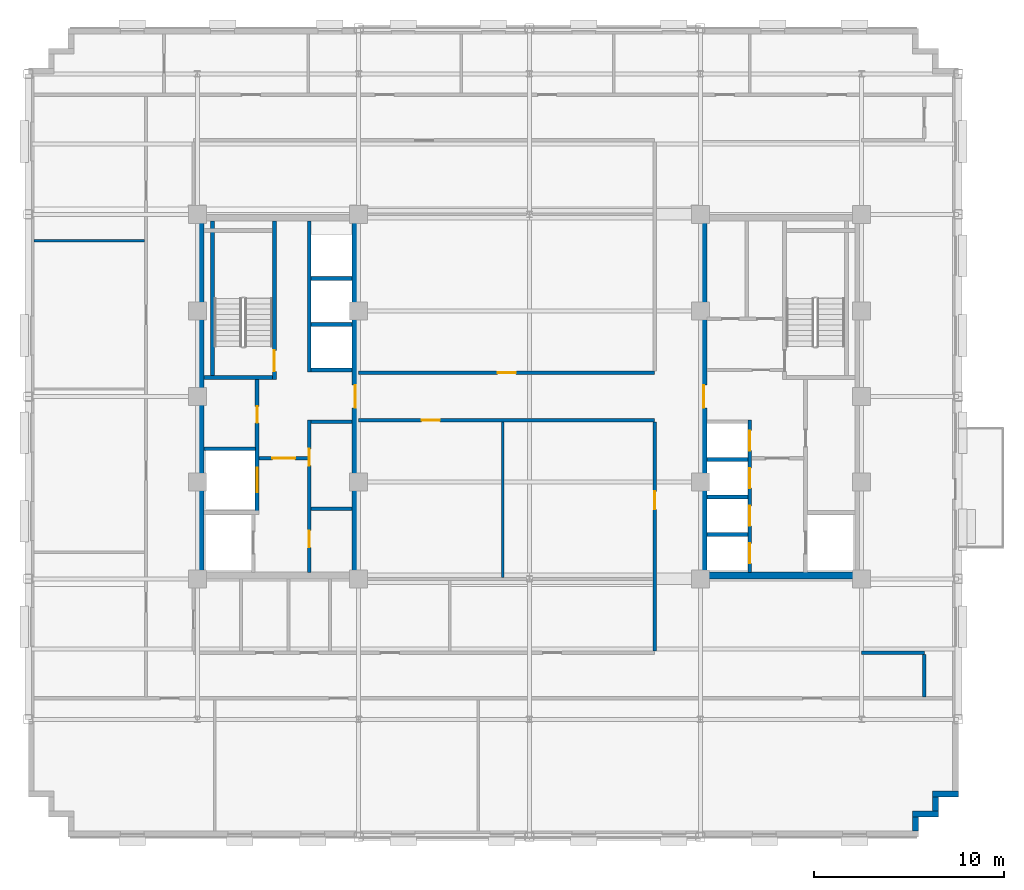
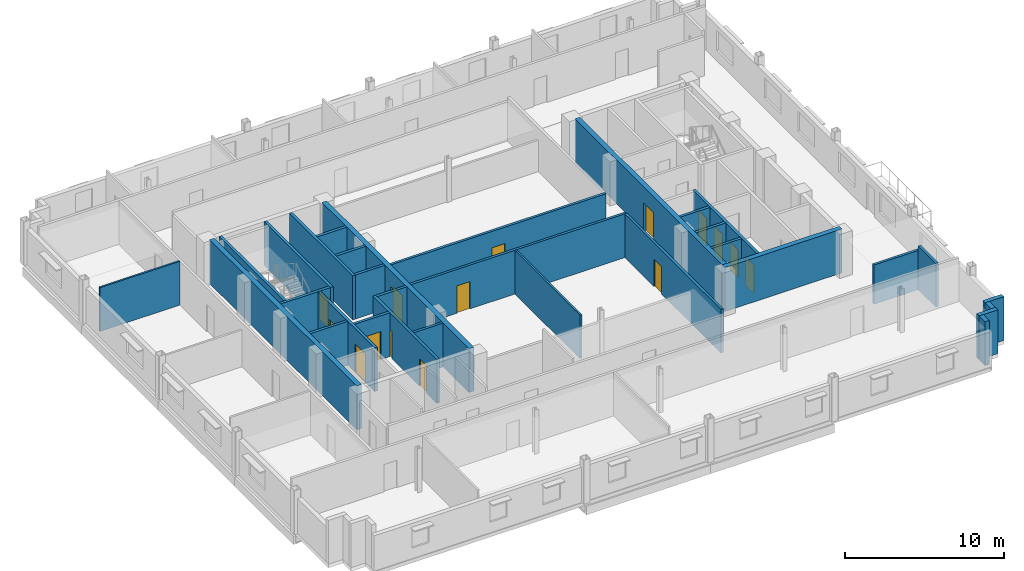
# One storey, part 8 of 15: 32 walls, 15 doors, 15 openings.
"""IFC4 building model written with IfcOpenShell, lengths in metres."""

from ifc_helpers import new_model, si_unit, direction, frame, frame_2d, origin, place, context, subcontext, project, spatial, rectangle, extrude, source, transform, mapped, material, layer, layer_set, type_object, type_shapes, element, fill, save


model = new_model("IFC4")

# Units and contexts
model_context = context("Model", 3, precision=1e-05, world=origin(), true_north=direction((0.0, 1.0)))
body_context = subcontext(model_context, "Body", "Model", "MODEL_VIEW")
ifc_project = project(units=[si_unit("LENGTHUNIT", "METRE"), si_unit("AREAUNIT", "SQUARE_METRE"), si_unit("VOLUMEUNIT", "CUBIC_METRE"), si_unit("PLANEANGLEUNIT", "RADIAN"), si_unit("MASSUNIT", "GRAM", prefix="KILO")], contexts=[model_context])

# Site, building, storey
site_placement = place(None, origin())
site = spatial("IfcSite", under=ifc_project, at=site_placement, CompositionType="ELEMENT")
building_placement = place(site_placement, origin())
building = spatial("IfcBuilding", under=site, at=building_placement, Name="Nuvemarco Arch Tower", CompositionType="ELEMENT")
storey_placement = place(building_placement, frame((0.0, 0.0, 201.85009765625)))
storey = spatial("IfcBuildingStorey", under=building, at=storey_placement, Name="L53", CompositionType="ELEMENT", Elevation=201.85009765625)

# Walls
ifc_material_1 = material(Name="Precast concrete C45/55", Category="concrete")
ifc_layer_1 = layer(ifc_material_1, 0.31005859375, Name="EW-UPP-310")
ifc_layer_set_1 = layer_set([ifc_layer_1], Name="Precast concrete C45/55")
wall_type_1 = type_object("IfcWallType", Name="EW-UPP-310", PredefinedType="STANDARD", material=ifc_layer_set_1)
wall_1_placement = place(storey_placement, frame((20.344970703125, -22.89404296875, 0.0), z_axis=(0.0, 0.0, 1.0), x_axis=(0.0, 1.0, 0.0)))
element("IfcWall", 1, at=wall_1_placement, inside=storey, type_object=wall_type_1, Name="L53 exterior precast facade wall 2", PredefinedType="STANDARD", context=body_context, shape_type="SweptSolid", body=[
    extrude(rectangle(XDim=0.748046875, YDim=0.31005859375, at=frame_2d((0.3740234375, 0.0))), origin(), (0.0, 0.0, 1.0), 3.35986328125),
])
wall_2_placement = place(storey_placement, frame((20.18994140625, -21.9951171875, 0.0), z_axis=(0.0, 0.0, 1.0), x_axis=(1.0, 0.0, 0.0)))
element("IfcWall", 2, at=wall_2_placement, inside=storey, type_object=wall_type_1, Name="L53 exterior precast facade wall 3", PredefinedType="STANDARD", context=body_context, shape_type="SweptSolid", body=[
    extrude(rectangle(XDim=1.360107421875, YDim=0.31005859375, at=frame_2d((0.68017578125, 0.0))), origin(), (0.0, 0.0, 1.0), 3.35986328125),
])
wall_3_placement = place(storey_placement, frame((21.39501953125, -21.843994140625, 0.0), z_axis=(0.0, 0.0, 1.0), x_axis=(0.0, 1.0, 0.0)))
element("IfcWall", 3, at=wall_3_placement, inside=storey, type_object=wall_type_1, Name="L53 exterior precast facade wall 4", PredefinedType="STANDARD", context=body_context, shape_type="SweptSolid", body=[
    extrude(rectangle(XDim=0.748046875, YDim=0.31005859375, at=frame_2d((0.3740234375, 0.0))), origin(), (0.0, 0.0, 1.0), 3.35986328125),
])
wall_4_placement = place(storey_placement, frame((21.239990234375, -20.945068359375, 0.0), z_axis=(0.0, 0.0, 1.0), x_axis=(1.0, 0.0, 0.0)))
element("IfcWall", 4, at=wall_4_placement, inside=storey, type_object=wall_type_1, Name="L53 exterior precast facade wall 5", PredefinedType="STANDARD", context=body_context, shape_type="SweptSolid", body=[
    extrude(rectangle(XDim=1.360107421875, YDim=0.31005859375, at=frame_2d((0.68017578125, 0.0))), origin(), (0.0, 0.0, 1.0), 3.35986328125),
])
ifc_material_2 = material(Name="Concrete C50/60", Category="concrete")
ifc_layer_2 = layer(ifc_material_2, 0.35009765625, Name="WL-CORE-350")
ifc_layer_set_2 = layer_set([ifc_layer_2], Name="Concrete C50/60")
wall_type_2 = type_object("IfcWallType", Name="WL-CORE-350", PredefinedType="SHEAR", material=ifc_layer_set_2)
wall_5_placement = place(storey_placement, frame((-17.324951171875, -9.2548828125, 0.0), z_axis=(0.0, 0.0, 1.0), x_axis=(0.0, 1.0, 0.0)))
element("IfcWall", 5, at=wall_5_placement, inside=storey, type_object=wall_type_2, Name="L53 W-core shear wall W", PredefinedType="SHEAR", context=body_context, shape_type="SweptSolid", body=[
    extrude(rectangle(XDim=18.509765625, YDim=0.35009765625, at=frame_2d((9.2548828125, 0.0))), origin(), (0.0, 0.0, 1.0), 3.369873046875),
])

# Wall, opening, door
wall_6_placement = place(storey_placement, frame((-9.175048828125, -9.2548828125, 0.0), z_axis=(0.0, 0.0, 1.0), x_axis=(0.0, 1.0, 0.0)))
wall_6 = element("IfcWall", 6, at=wall_6_placement, inside=storey, type_object=wall_type_2, Name="L53 W-core shear wall E", PredefinedType="SHEAR", context=body_context, shape_type="SweptSolid", body=[
    extrude(rectangle(XDim=18.509765625, YDim=0.35009765625, at=frame_2d((9.2548828125, 0.0))), origin(), (0.0, 0.0, 1.0), 3.369873046875),
])
opening_1_placement = place(wall_6_placement, frame((8.655029296875, 0.0, 0.0)))
opening_1 = element("IfcOpeningElement", 7, at=opening_1_placement, cuts=wall_6, Name="Opening FD-2", PredefinedType="OPENING", context=body_context, shape_type="SweptSolid", body=[
    extrude(rectangle(XDim=1.199951171875, YDim=2.14990234375, at=frame_2d((0.60009765625, 1.074951171875))), frame((0.0, 0.18505859375, 0.0), z_axis=(0.0, -1.0, 0.0), x_axis=(1.0, 0.0, 0.0)), (0.0, 0.0, 1.0), 0.3701171875),
])
ifc_material_3 = material(Name="Anodised steel fire door", Category="steel")
door_type_1 = type_object("IfcDoorType", Name="DR-FFLOB-FD", OperationType="NOTDEFINED", PredefinedType="DOOR", material=ifc_material_3)
shared_shape_1 = source(origin(), body_context, "Body", "SweptSolid", [
    extrude(rectangle(XDim=1.199951171875, YDim=2.14990234375, at=frame_2d((0.60009765625, 1.074951171875))), frame((0.0, 0.02490234375, 0.0), z_axis=(0.0, -1.0, 0.0), x_axis=(1.0, 0.0, 0.0)), (0.0, 0.0, 1.0), 0.050048828125),
])
type_shapes(door_type_1, [shared_shape_1])
door_1_placement = place(opening_1_placement, origin())
door_1 = element("IfcDoor", 8, at=door_1_placement, inside=storey, type_object=door_type_1, Name="L53 door FD-L53-WCORE-E", OperationType="SINGLE_SWING_LEFT", OverallHeight=2.14990234375, OverallWidth=1.199951171875, PredefinedType="DOOR", context=body_context, shape_type="MappedRepresentation", body=[
    mapped(shared_shape_1, transform((0.0, 0.0, 0.0), scale=1.0)),
])
fill(opening_1, door_1)

# Wall
wall_7_placement = place(storey_placement, frame((9.0, -9.425048828125, 0.0), z_axis=(0.0, 0.0, 1.0), x_axis=(1.0, 0.0, 0.0)))
element("IfcWall", 9, at=wall_7_placement, inside=storey, type_object=wall_type_2, Name="L53 E-core shear wall S", PredefinedType="SHEAR", context=body_context, shape_type="SweptSolid", body=[
    extrude(rectangle(XDim=8.5, YDim=0.35009765625, at=frame_2d((4.25, 0.0))), origin(), (0.0, 0.0, 1.0), 3.369873046875),
])

# Wall, opening, door
wall_8_placement = place(storey_placement, frame((9.175048828125, -9.2548828125, 0.0), z_axis=(0.0, 0.0, 1.0), x_axis=(0.0, 1.0, 0.0)))
wall_8 = element("IfcWall", 10, at=wall_8_placement, inside=storey, type_object=wall_type_2, Name="L53 E-core shear wall W", PredefinedType="SHEAR", context=body_context, shape_type="SweptSolid", body=[
    extrude(rectangle(XDim=18.509765625, YDim=0.35009765625, at=frame_2d((9.2548828125, 0.0))), origin(), (0.0, 0.0, 1.0), 3.369873046875),
])
opening_2_placement = place(wall_8_placement, frame((8.655029296875, 0.0, 0.0)))
opening_2 = element("IfcOpeningElement", 11, at=opening_2_placement, cuts=wall_8, Name="Opening FD-2", PredefinedType="OPENING", context=body_context, shape_type="SweptSolid", body=[
    extrude(rectangle(XDim=1.199951171875, YDim=2.14990234375, at=frame_2d((0.60009765625, 1.074951171875))), frame((0.0, 0.18505859375, 0.0), z_axis=(0.0, -1.0, 0.0), x_axis=(1.0, 0.0, 0.0)), (0.0, 0.0, 1.0), 0.3701171875),
])
door_2_placement = place(opening_2_placement, origin())
door_2 = element("IfcDoor", 12, at=door_2_placement, inside=storey, type_object=door_type_1, Name="L53 door FD-L53-ECORE-W", OperationType="SINGLE_SWING_RIGHT", OverallHeight=2.14990234375, OverallWidth=1.199951171875, PredefinedType="DOOR", context=body_context, shape_type="MappedRepresentation", body=[
    mapped(shared_shape_1, transform((0.0, 0.0, 0.0), scale=1.0)),
])
fill(opening_2, door_2)

# Walls
ifc_material_4 = material(Name="Fire-rated gypsum drywall partition")
ifc_layer_3 = layer(ifc_material_4, 0.179931640625, Name="WL-CORR-180")
ifc_layer_set_3 = layer_set([ifc_layer_3], Name="Fire-rated gypsum drywall partition")
wall_type_3 = type_object("IfcWallType", Name="WL-CORR-180", PredefinedType="PARTITIONING", material=ifc_layer_set_3)
wall_9_placement = place(storey_placement, frame((-11.5048828125, -5.89990234375, 0.0), z_axis=(0.0, 0.0, 1.0), x_axis=(1.0, 0.0, 0.0)))
element("IfcWall", 13, at=wall_9_placement, inside=storey, type_object=wall_type_3, Name="L53 interior wall IW-L53-W-RECK3", PredefinedType="PARTITIONING", context=body_context, shape_type="SweptSolid", body=[
    extrude(rectangle(XDim=2.159912109375, YDim=0.179931640625, at=frame_2d((1.080078125, 0.0))), origin(), (0.0, 0.0, 1.0), 3.35986328125),
])
wall_10_placement = place(storey_placement, frame((17.5, -13.5, 0.0), z_axis=(0.0, 0.0, 1.0), x_axis=(1.0, 0.0, 0.0)))
element("IfcWall", 14, at=wall_10_placement, inside=storey, type_object=wall_type_3, Name="L53 interior wall IW-L53-003", PredefinedType="PARTITIONING", context=body_context, shape_type="SweptSolid", body=[
    extrude(rectangle(XDim=3.300048828125, YDim=0.179931640625, at=frame_2d((1.64990234375, 0.0))), origin(), (0.0, 0.0, 1.0), 3.0078125),
])

# Wall, opening, door
wall_11_placement = place(storey_placement, frame((-9.0, -1.25, 0.0), z_axis=(0.0, 0.0, 1.0), x_axis=(1.0, 0.0, 0.0)))
wall_11 = element("IfcWall", 15, at=wall_11_placement, inside=storey, type_object=wall_type_3, Name="L53 interior wall IW-L53-007", PredefinedType="PARTITIONING", context=body_context, shape_type="SweptSolid", body=[
    extrude(rectangle(XDim=15.60009765625, YDim=0.179931640625, at=frame_2d((7.800048828125, 0.0))), origin(), (0.0, 0.0, 1.0), 3.35986328125),
])
opening_3_placement = place(wall_11_placement, frame((3.320068359375, 0.0, 0.0)))
opening_3 = element("IfcOpeningElement", 16, at=opening_3_placement, cuts=wall_11, Name="Opening FD-5", PredefinedType="OPENING", context=body_context, shape_type="SweptSolid", body=[
    extrude(rectangle(XDim=0.9599609375, YDim=2.10009765625, at=frame_2d((0.47998046875, 1.050048828125))), frame((0.0, 0.099853515625, 0.0), z_axis=(0.0, -1.0, 0.0), x_axis=(1.0, 0.0, 0.0)), (0.0, 0.0, 1.0), 0.199951171875),
])
ifc_material_5 = material(Name="Timber fire door", Category="wood")
door_type_2 = type_object("IfcDoorType", Name="DR-CORR-FD", OperationType="NOTDEFINED", PredefinedType="DOOR", material=ifc_material_5)
shared_shape_2 = source(origin(), body_context, "Body", "SweptSolid", [
    extrude(rectangle(XDim=0.9599609375, YDim=2.10009765625, at=frame_2d((0.47998046875, 1.050048828125))), frame((0.0, 0.02490234375, 0.0), z_axis=(0.0, -1.0, 0.0), x_axis=(1.0, 0.0, 0.0)), (0.0, 0.0, 1.0), 0.050048828125),
])
type_shapes(door_type_2, [shared_shape_2])
door_3_placement = place(opening_3_placement, origin())
door_3 = element("IfcDoor", 17, at=door_3_placement, inside=storey, type_object=door_type_2, Name="L53 door DR-L53-C_S1", OperationType="SINGLE_SWING_LEFT", OverallHeight=2.10009765625, OverallWidth=0.9599609375, PredefinedType="DOOR", context=body_context, shape_type="MappedRepresentation", body=[
    mapped(shared_shape_2, transform((0.0, 0.0, 0.0), scale=1.0)),
])
fill(opening_3, door_3)

wall_12_placement = place(storey_placement, frame((-9.0, 1.25, 0.0), z_axis=(0.0, 0.0, 1.0), x_axis=(1.0, 0.0, 0.0)))
wall_12 = element("IfcWall", 18, at=wall_12_placement, inside=storey, type_object=wall_type_3, Name="L53 interior wall IW-L53-009", PredefinedType="PARTITIONING", context=body_context, shape_type="SweptSolid", body=[
    extrude(rectangle(XDim=15.60009765625, YDim=0.179931640625, at=frame_2d((7.800048828125, 0.0))), origin(), (0.0, 0.0, 1.0), 3.35986328125),
])
opening_4_placement = place(wall_12_placement, frame((7.320068359375, 0.0, 0.0)))
opening_4 = element("IfcOpeningElement", 19, at=opening_4_placement, cuts=wall_12, Name="Opening FD-5", PredefinedType="OPENING", context=body_context, shape_type="SweptSolid", body=[
    extrude(rectangle(XDim=0.9599609375, YDim=2.10009765625, at=frame_2d((0.47998046875, 1.050048828125))), frame((0.0, 0.099853515625, 0.0), z_axis=(0.0, -1.0, 0.0), x_axis=(1.0, 0.0, 0.0)), (0.0, 0.0, 1.0), 0.199951171875),
])
door_4_placement = place(opening_4_placement, origin())
door_4 = element("IfcDoor", 20, at=door_4_placement, inside=storey, type_object=door_type_2, Name="L53 door DR-L53-C_N1", OperationType="SINGLE_SWING_LEFT", OverallHeight=2.10009765625, OverallWidth=0.9599609375, PredefinedType="DOOR", context=body_context, shape_type="MappedRepresentation", body=[
    mapped(shared_shape_2, transform((0.0, 0.0, 0.0), scale=1.0)),
])
fill(opening_4, door_4)

wall_13_placement = place(storey_placement, frame((6.60009765625, -13.4140625, 0.0), z_axis=(0.0, 0.0, 1.0), x_axis=(0.0, 1.0, 0.0)))
wall_13 = element("IfcWall", 21, at=wall_13_placement, inside=storey, type_object=wall_type_3, Name="L53 interior wall IW-L53-030", PredefinedType="PARTITIONING", context=body_context, shape_type="SweptSolid", body=[
    extrude(rectangle(XDim=12.078125, YDim=0.179931640625, at=frame_2d((6.0390625, 0.0))), origin(), (0.0, 0.0, 1.0), 3.35986328125),
])
opening_5_placement = place(wall_13_placement, frame((7.466064453125, 0.0, 0.0)))
opening_5 = element("IfcOpeningElement", 22, at=opening_5_placement, cuts=wall_13, Name="Opening FD-5", PredefinedType="OPENING", context=body_context, shape_type="SweptSolid", body=[
    extrude(rectangle(XDim=0.9599609375, YDim=2.10009765625, at=frame_2d((0.47998046875, 1.050048828125))), frame((0.0, 0.099853515625, 0.0), z_axis=(0.0, -1.0, 0.0), x_axis=(1.0, 0.0, 0.0)), (0.0, 0.0, 1.0), 0.199951171875),
])
door_5_placement = place(opening_5_placement, origin())
door_5 = element("IfcDoor", 23, at=door_5_placement, inside=storey, type_object=door_type_2, Name="L53 door DR-L53-C_S2", OperationType="SINGLE_SWING_LEFT", OverallHeight=2.10009765625, OverallWidth=0.9599609375, PredefinedType="DOOR", context=body_context, shape_type="MappedRepresentation", body=[
    mapped(shared_shape_2, transform((0.0, 0.0, 0.0), scale=1.0)),
])
fill(opening_5, door_5)

# Walls
wall_14_placement = place(storey_placement, frame((20.800048828125, -15.81396484375, 0.0), z_axis=(0.0, 0.0, 1.0), x_axis=(0.0, 1.0, 0.0)))
element("IfcWall", 24, at=wall_14_placement, inside=storey, type_object=wall_type_3, Name="L53 interior wall IW-L53-033", PredefinedType="PARTITIONING", context=body_context, shape_type="SweptSolid", body=[
    extrude(rectangle(XDim=2.22802734375, YDim=0.179931640625, at=frame_2d((1.114013671875, 0.0))), origin(), (0.0, 0.0, 1.0), 3.35986328125),
])
ifc_material_6 = material(Name="Glazed acoustic office partition")
ifc_layer_4 = layer(ifc_material_6, 0.1298828125, Name="WL-EXEC-130")
ifc_layer_set_4 = layer_set([ifc_layer_4], Name="Glazed acoustic office partition")
wall_type_4 = type_object("IfcWallType", Name="WL-EXEC-130", PredefinedType="PARTITIONING", material=ifc_layer_set_4)
wall_15_placement = place(storey_placement, frame((-26.090087890625, 8.199951171875, 0.0), z_axis=(0.0, 0.0, 1.0), x_axis=(1.0, 0.0, 0.0)))
element("IfcWall", 25, at=wall_15_placement, inside=storey, type_object=wall_type_4, Name="L53 interior wall IW-L53-010", PredefinedType="PARTITIONING", context=body_context, shape_type="SweptSolid", body=[
    extrude(rectangle(XDim=5.80419921875, YDim=0.1298828125, at=frame_2d((2.902099609375, 0.0))), origin(), (0.0, 0.0, 1.0), 3.35986328125),
])
wall_16_placement = place(storey_placement, frame((-1.39990234375, -9.52392578125, 0.0), z_axis=(0.0, 0.0, 1.0), x_axis=(0.0, 1.0, 0.0)))
element("IfcWall", 26, at=wall_16_placement, inside=storey, type_object=wall_type_4, Name="L53 interior wall IW-L53-028", PredefinedType="PARTITIONING", context=body_context, shape_type="SweptSolid", body=[
    extrude(rectangle(XDim=8.18798828125, YDim=0.1298828125, at=frame_2d((4.093994140625, 0.0))), origin(), (0.0, 0.0, 1.0), 3.35986328125),
])

# Wall, opening, door
ifc_layer_5 = layer(ifc_material_2, 0.199951171875, Name="WL-SHAFT-220")
ifc_layer_set_5 = layer_set([ifc_layer_5], Name="Concrete C50/60")
wall_type_5 = type_object("IfcWallType", Name="WL-SHAFT-220", PredefinedType="SHEAR", material=ifc_layer_set_5)
wall_17_placement = place(storey_placement, frame((-13.43994140625, 0.89990234375, 0.0), z_axis=(0.0, 0.0, 1.0), x_axis=(0.0, 1.0, 0.0)))
wall_17 = element("IfcWall", 27, at=wall_17_placement, inside=storey, type_object=wall_type_5, Name="L53 structural shaft wall SW-L53-W-ST1E", PredefinedType="SHEAR", context=body_context, shape_type="SweptSolid", body=[
    extrude(rectangle(XDim=8.35498046875, YDim=0.199951171875, at=frame_2d((4.177490234375, 0.0))), origin(), (0.0, 0.0, 1.0), 3.369873046875),
])
opening_6_placement = place(wall_17_placement, frame((1.530029296875, 0.0, 0.0), z_axis=(0.0, 0.0, 1.0), x_axis=(-1.0, 0.0, 0.0)))
opening_6 = element("IfcOpeningElement", 28, at=opening_6_placement, cuts=wall_17, Name="Opening FD-1", PredefinedType="OPENING", context=body_context, shape_type="SweptSolid", body=[
    extrude(rectangle(XDim=1.10009765625, YDim=2.14990234375, at=frame_2d((0.550048828125, 1.074951171875))), frame((0.0, 0.10986328125, 0.0), z_axis=(0.0, -1.0, 0.0), x_axis=(1.0, 0.0, 0.0)), (0.0, 0.0, 1.0), 0.219970703125),
])
door_type_3 = type_object("IfcDoorType", Name="DR-STAIR-FD", OperationType="NOTDEFINED", PredefinedType="DOOR", material=ifc_material_3)
shared_shape_3 = source(origin(), body_context, "Body", "SweptSolid", [
    extrude(rectangle(XDim=1.10009765625, YDim=2.14990234375, at=frame_2d((0.550048828125, 1.074951171875))), frame((0.0, 0.02490234375, 0.0), z_axis=(0.0, -1.0, 0.0), x_axis=(1.0, 0.0, 0.0)), (0.0, 0.0, 1.0), 0.050048828125),
])
type_shapes(door_type_3, [shared_shape_3])
door_6_placement = place(opening_6_placement, origin())
door_6 = element("IfcDoor", 29, at=door_6_placement, inside=storey, type_object=door_type_3, Name="L53 door FD-L53-ST1", OperationType="SINGLE_SWING_LEFT", OverallHeight=2.14990234375, OverallWidth=1.10009765625, PredefinedType="DOOR", context=body_context, shape_type="MappedRepresentation", body=[
    mapped(shared_shape_3, transform((0.0, 0.0, 0.0), scale=1.0)),
])
fill(opening_6, door_6)

# Walls
wall_18_placement = place(storey_placement, frame((-17.155029296875, 1.0, 0.0), z_axis=(0.0, 0.0, 1.0), x_axis=(1.0, 0.0, 0.0)))
element("IfcWall", 30, at=wall_18_placement, inside=storey, type_object=wall_type_5, Name="L53 structural shaft wall SW-L53-W-ST1S", PredefinedType="SHEAR", context=body_context, shape_type="SweptSolid", body=[
    extrude(rectangle(XDim=3.6201171875, YDim=0.199951171875, at=frame_2d((1.81005859375, 0.0))), origin(), (0.0, 0.0, 1.0), 3.369873046875),
])
wall_19_placement = place(storey_placement, frame((-16.699951171875, 1.094970703125, 0.0), z_axis=(0.0, 0.0, 1.0), x_axis=(0.0, 1.0, 0.0)))
element("IfcWall", 31, at=wall_19_placement, inside=storey, type_object=wall_type_5, Name="L53 structural shaft wall SW-L53-W-ST1W", PredefinedType="SHEAR", context=body_context, shape_type="SweptSolid", body=[
    extrude(rectangle(XDim=8.159912109375, YDim=0.199951171875, at=frame_2d((4.080078125, 0.0))), origin(), (0.0, 0.0, 1.0), 3.369873046875),
])

# Wall, openings, doors
wall_20_placement = place(storey_placement, frame((-14.35009765625, -6.199951171875, 0.0), z_axis=(0.0, 0.0, 1.0), x_axis=(0.0, 1.0, 0.0)))
wall_20 = element("IfcWall", 32, at=wall_20_placement, inside=storey, type_object=wall_type_5, Name="L53 structural shaft wall SW-L53-W-SVE", PredefinedType="SHEAR", context=body_context, shape_type="SweptSolid", body=[
    extrude(rectangle(XDim=7.10498046875, YDim=0.199951171875, at=frame_2d((3.552490234375, 0.0))), origin(), (0.0, 0.0, 1.0), 3.369873046875),
])
opening_7_placement = place(wall_20_placement, frame((5.68994140625, 0.0, 0.0), z_axis=(0.0, 0.0, 1.0), x_axis=(-1.0, 0.0, 0.0)))
opening_7 = element("IfcOpeningElement", 33, at=opening_7_placement, cuts=wall_20, Name="Opening FD-4", PredefinedType="OPENING", context=body_context, shape_type="SweptSolid", body=[
    extrude(rectangle(XDim=0.8798828125, YDim=2.10009765625, at=frame_2d((0.43994140625, 1.050048828125))), frame((0.0, 0.10986328125, 0.0), z_axis=(0.0, -1.0, 0.0), x_axis=(1.0, 0.0, 0.0)), (0.0, 0.0, 1.0), 0.219970703125),
])
opening_8_placement = place(wall_20_placement, frame((1.14990234375, 0.0, 0.0)))
opening_8 = element("IfcOpeningElement", 34, at=opening_8_placement, cuts=wall_20, Name="Opening LD-3", PredefinedType="OPENING", context=body_context, shape_type="SweptSolid", body=[
    extrude(rectangle(XDim=1.300048828125, YDim=2.199951171875, at=frame_2d((0.64990234375, 1.10009765625))), frame((0.0, 0.10986328125, 0.0), z_axis=(0.0, -1.0, 0.0), x_axis=(1.0, 0.0, 0.0)), (0.0, 0.0, 1.0), 0.219970703125),
])
door_type_4 = type_object("IfcDoorType", Name="DR-RISER-FD", OperationType="NOTDEFINED", PredefinedType="DOOR", material=ifc_material_3)
shared_shape_4 = source(origin(), body_context, "Body", "SweptSolid", [
    extrude(rectangle(XDim=0.8798828125, YDim=2.10009765625, at=frame_2d((0.43994140625, 1.050048828125))), frame((0.0, 0.02490234375, 0.0), z_axis=(0.0, -1.0, 0.0), x_axis=(1.0, 0.0, 0.0)), (0.0, 0.0, 1.0), 0.050048828125),
])
type_shapes(door_type_4, [shared_shape_4])
door_7_placement = place(opening_7_placement, origin())
door_7 = element("IfcDoor", 35, at=door_7_placement, inside=storey, type_object=door_type_4, Name="L53 door FD-L53-WRIS", OperationType="SINGLE_SWING_LEFT", OverallHeight=2.10009765625, OverallWidth=0.8798828125, PredefinedType="DOOR", context=body_context, shape_type="MappedRepresentation", body=[
    mapped(shared_shape_4, transform((0.0, 0.0, 0.0), scale=1.0)),
])
fill(opening_7, door_7)
ifc_material_7 = material(Name="Stainless steel lift door", Category="steel")
door_type_5 = type_object("IfcDoorType", Name="DR-LIFT-SERV", OperationType="DOUBLE_DOOR_SLIDING", PredefinedType="DOOR", material=ifc_material_7)
shared_shape_5 = source(origin(), body_context, "Body", "SweptSolid", [
    extrude(rectangle(XDim=1.300048828125, YDim=2.199951171875, at=frame_2d((0.64990234375, 1.10009765625))), frame((0.0, 0.02490234375, 0.0), z_axis=(0.0, -1.0, 0.0), x_axis=(1.0, 0.0, 0.0)), (0.0, 0.0, 1.0), 0.050048828125),
])
type_shapes(door_type_5, [shared_shape_5])
door_8_placement = place(opening_8_placement, origin())
door_8 = element("IfcDoor", 36, at=door_8_placement, inside=storey, type_object=door_type_5, Name="L53 Lift landing sliding door SVL-1", OperationType="DOUBLE_DOOR_SLIDING", OverallHeight=2.199951171875, OverallWidth=1.300048828125, PredefinedType="DOOR", context=body_context, shape_type="MappedRepresentation", body=[
    mapped(shared_shape_5, transform((0.0, 0.0, 0.0), scale=1.0)),
])
fill(opening_8, door_8)

# Wall
wall_21_placement = place(storey_placement, frame((-17.155029296875, -2.75, 0.0), z_axis=(0.0, 0.0, 1.0), x_axis=(1.0, 0.0, 0.0)))
element("IfcWall", 37, at=wall_21_placement, inside=storey, type_object=wall_type_5, Name="L53 structural shaft wall SW-L53-W-SH2", PredefinedType="SHEAR", context=body_context, shape_type="SweptSolid", body=[
    extrude(rectangle(XDim=2.7099609375, YDim=0.199951171875, at=frame_2d((1.35498046875, 0.0))), origin(), (0.0, 0.0, 1.0), 3.369873046875),
])

# Wall, openings, doors
wall_22_placement = place(storey_placement, frame((-11.60009765625, -9.2548828125, 0.0), z_axis=(0.0, 0.0, 1.0), x_axis=(0.0, 1.0, 0.0)))
wall_22 = element("IfcWall", 38, at=wall_22_placement, inside=storey, type_object=wall_type_5, Name="L53 structural shaft wall SW-L53-W-PLW", PredefinedType="SHEAR", context=body_context, shape_type="SweptSolid", body=[
    extrude(rectangle(XDim=8.02490234375, YDim=0.199951171875, at=frame_2d((4.012451171875, 0.0))), origin(), (0.0, 0.0, 1.0), 3.369873046875),
])
opening_9_placement = place(wall_22_placement, frame((1.31494140625, 0.0, 0.0)))
opening_9 = element("IfcOpeningElement", 39, at=opening_9_placement, cuts=wall_22, Name="Opening FD-4", PredefinedType="OPENING", context=body_context, shape_type="SweptSolid", body=[
    extrude(rectangle(XDim=0.8798828125, YDim=2.10009765625, at=frame_2d((0.43994140625, 1.050048828125))), frame((0.0, 0.10986328125, 0.0), z_axis=(0.0, -1.0, 0.0), x_axis=(1.0, 0.0, 0.0)), (0.0, 0.0, 1.0), 0.219970703125),
])
opening_10_placement = place(wall_22_placement, frame((5.614990234375, 0.0, 0.0)))
opening_10 = element("IfcOpeningElement", 40, at=opening_10_placement, cuts=wall_22, Name="Opening FD-4", PredefinedType="OPENING", context=body_context, shape_type="SweptSolid", body=[
    extrude(rectangle(XDim=0.8798828125, YDim=2.10009765625, at=frame_2d((0.43994140625, 1.050048828125))), frame((0.0, 0.10986328125, 0.0), z_axis=(0.0, -1.0, 0.0), x_axis=(1.0, 0.0, 0.0)), (0.0, 0.0, 1.0), 0.219970703125),
])
door_9_placement = place(opening_9_placement, origin())
door_9 = element("IfcDoor", 41, at=door_9_placement, inside=storey, type_object=door_type_4, Name="L53 door FD-L53-WREC1", OperationType="SINGLE_SWING_LEFT", OverallHeight=2.10009765625, OverallWidth=0.8798828125, PredefinedType="DOOR", context=body_context, shape_type="MappedRepresentation", body=[
    mapped(shared_shape_4, transform((0.0, 0.0, 0.0), scale=1.0)),
])
fill(opening_9, door_9)
door_10_placement = place(opening_10_placement, origin())
door_10 = element("IfcDoor", 42, at=door_10_placement, inside=storey, type_object=door_type_4, Name="L53 door FD-L53-WREC2", OperationType="SINGLE_SWING_RIGHT", OverallHeight=2.10009765625, OverallWidth=0.8798828125, PredefinedType="DOOR", context=body_context, shape_type="MappedRepresentation", body=[
    mapped(shared_shape_4, transform((0.0, 0.0, 0.0), scale=1.0)),
])
fill(opening_10, door_10)

# Wall, opening, door
wall_23_placement = place(storey_placement, frame((-14.2548828125, -3.25, 0.0), z_axis=(0.0, 0.0, 1.0), x_axis=(1.0, 0.0, 0.0)))
wall_23 = element("IfcWall", 43, at=wall_23_placement, inside=storey, type_object=wall_type_5, Name="L53 structural shaft wall SW-L53-W-FFN", PredefinedType="SHEAR", context=body_context, shape_type="SweptSolid", body=[
    extrude(rectangle(XDim=2.559814453125, YDim=0.199951171875, at=frame_2d((1.27978515625, 0.0))), origin(), (0.0, 0.0, 1.0), 3.369873046875),
])
opening_11_placement = place(wall_23_placement, frame((0.705078125, 0.0, 0.0)))
opening_11 = element("IfcOpeningElement", 44, at=opening_11_placement, cuts=wall_23, Name="Opening FD-2", PredefinedType="OPENING", context=body_context, shape_type="SweptSolid", body=[
    extrude(rectangle(XDim=1.199951171875, YDim=2.14990234375, at=frame_2d((0.60009765625, 1.074951171875))), frame((0.0, 0.10986328125, 0.0), z_axis=(0.0, -1.0, 0.0), x_axis=(1.0, 0.0, 0.0)), (0.0, 0.0, 1.0), 0.219970703125),
])
door_11_placement = place(opening_11_placement, origin())
door_11 = element("IfcDoor", 45, at=door_11_placement, inside=storey, type_object=door_type_1, Name="L53 door FD-L53-WFF1", OperationType="SINGLE_SWING_LEFT", OverallHeight=2.14990234375, OverallWidth=1.199951171875, PredefinedType="DOOR", context=body_context, shape_type="MappedRepresentation", body=[
    mapped(shared_shape_1, transform((0.0, 0.0, 0.0), scale=1.0)),
])
fill(opening_11, door_11)

# Walls
wall_24_placement = place(storey_placement, frame((-11.5048828125, -1.330078125, 0.0), z_axis=(0.0, 0.0, 1.0), x_axis=(1.0, 0.0, 0.0)))
element("IfcWall", 46, at=wall_24_placement, inside=storey, type_object=wall_type_5, Name="L53 structural shaft wall SW-L53-W-PLTOP", PredefinedType="SHEAR", context=body_context, shape_type="SweptSolid", body=[
    extrude(rectangle(XDim=2.159912109375, YDim=0.199951171875, at=frame_2d((1.080078125, 0.0))), origin(), (0.0, 0.0, 1.0), 3.369873046875),
])
wall_25_placement = place(storey_placement, frame((-11.60009765625, 1.300048828125, 0.0), z_axis=(0.0, 0.0, 1.0), x_axis=(0.0, 1.0, 0.0)))
element("IfcWall", 47, at=wall_25_placement, inside=storey, type_object=wall_type_5, Name="L53 structural shaft wall SW-L53-W-PHW", PredefinedType="SHEAR", context=body_context, shape_type="SweptSolid", body=[
    extrude(rectangle(XDim=7.954833984375, YDim=0.199951171875, at=frame_2d((3.9775390625, 0.0))), origin(), (0.0, 0.0, 1.0), 3.369873046875),
])
for number, where, z_axis, x_axis, name in (
    (48, (-11.5048828125, 1.39990234375, 0.0), (0.0, 0.0, 1.0), (1.0, 0.0, 0.0), "L53 structural shaft wall SW-L53-W-PHD1"),
    (49, (-11.5048828125, 3.800048828125, 0.0), (0.0, 0.0, 1.0), (1.0, 0.0, 0.0), "L53 structural shaft wall SW-L53-W-PHD2"),
    (50, (-11.5048828125, 6.219970703125, 0.0), (0.0, 0.0, 1.0), (1.0, 0.0, 0.0), "L53 structural shaft wall SW-L53-W-PHD3"),
):
    element("IfcWall", number, at=place(storey_placement, frame(where, z_axis=z_axis, x_axis=x_axis)), inside=storey, type_object=wall_type_5, Name=name, PredefinedType="SHEAR", context=body_context, shape_type="SweptSolid", body=[
        extrude(rectangle(XDim=2.159912109375, YDim=0.199951171875, at=frame_2d((1.080078125, 0.0))), origin(), (0.0, 0.0, 1.0), 3.369873046875),
    ])

# Wall, openings, doors
wall_26_placement = place(storey_placement, frame((11.60009765625, -9.2548828125, 0.0), z_axis=(0.0, 0.0, 1.0), x_axis=(0.0, 1.0, 0.0)))
wall_26 = element("IfcWall", 51, at=wall_26_placement, inside=storey, type_object=wall_type_5, Name="L53 structural shaft wall SW-L53-E-PME", PredefinedType="SHEAR", context=body_context, shape_type="SweptSolid", body=[
    extrude(rectangle(XDim=8.02490234375, YDim=0.199951171875, at=frame_2d((4.012451171875, 0.0))), origin(), (0.0, 0.0, 1.0), 3.369873046875),
])
opening_12_placement = place(wall_26_placement, frame((0.469970703125, 0.0, 0.0)))
opening_12 = element("IfcOpeningElement", 52, at=opening_12_placement, cuts=wall_26, Name="Opening LD-1", PredefinedType="OPENING", context=body_context, shape_type="SweptSolid", body=[
    extrude(rectangle(XDim=1.050048828125, YDim=2.14990234375, at=frame_2d((0.52490234375, 1.074951171875))), frame((0.0, 0.10986328125, 0.0), z_axis=(0.0, -1.0, 0.0), x_axis=(1.0, 0.0, 0.0)), (0.0, 0.0, 1.0), 0.219970703125),
])
opening_13_placement = place(wall_26_placement, frame((2.449951171875, 0.0, 0.0)))
opening_13 = element("IfcOpeningElement", 53, at=opening_13_placement, cuts=wall_26, Name="Opening LD-1", PredefinedType="OPENING", context=body_context, shape_type="SweptSolid", body=[
    extrude(rectangle(XDim=1.050048828125, YDim=2.14990234375, at=frame_2d((0.52490234375, 1.074951171875))), frame((0.0, 0.10986328125, 0.0), z_axis=(0.0, -1.0, 0.0), x_axis=(1.0, 0.0, 0.0)), (0.0, 0.0, 1.0), 0.219970703125),
])
opening_14_placement = place(wall_26_placement, frame((4.429931640625, 0.0, 0.0)))
opening_14 = element("IfcOpeningElement", 54, at=opening_14_placement, cuts=wall_26, Name="Opening LD-1", PredefinedType="OPENING", context=body_context, shape_type="SweptSolid", body=[
    extrude(rectangle(XDim=1.050048828125, YDim=2.14990234375, at=frame_2d((0.52490234375, 1.074951171875))), frame((0.0, 0.10986328125, 0.0), z_axis=(0.0, -1.0, 0.0), x_axis=(1.0, 0.0, 0.0)), (0.0, 0.0, 1.0), 0.219970703125),
])
opening_15_placement = place(wall_26_placement, frame((6.409912109375, 0.0, 0.0)))
opening_15 = element("IfcOpeningElement", 55, at=opening_15_placement, cuts=wall_26, Name="Opening LD-1", PredefinedType="OPENING", context=body_context, shape_type="SweptSolid", body=[
    extrude(rectangle(XDim=1.050048828125, YDim=2.14990234375, at=frame_2d((0.52490234375, 1.074951171875))), frame((0.0, 0.10986328125, 0.0), z_axis=(0.0, -1.0, 0.0), x_axis=(1.0, 0.0, 0.0)), (0.0, 0.0, 1.0), 0.219970703125),
])
door_type_6 = type_object("IfcDoorType", Name="DR-LIFT-PASS", OperationType="DOUBLE_DOOR_SLIDING", PredefinedType="DOOR", material=ifc_material_7)
shared_shape_6 = source(origin(), body_context, "Body", "SweptSolid", [
    extrude(rectangle(XDim=1.050048828125, YDim=2.14990234375, at=frame_2d((0.52490234375, 1.074951171875))), frame((0.0, 0.02490234375, 0.0), z_axis=(0.0, -1.0, 0.0), x_axis=(1.0, 0.0, 0.0)), (0.0, 0.0, 1.0), 0.050048828125),
])
type_shapes(door_type_6, [shared_shape_6])
door_12_placement = place(opening_12_placement, origin())
door_12 = element("IfcDoor", 56, at=door_12_placement, inside=storey, type_object=door_type_6, Name="L53 Lift landing sliding door PM-1", OperationType="DOUBLE_DOOR_SLIDING", OverallHeight=2.14990234375, OverallWidth=1.050048828125, PredefinedType="DOOR", context=body_context, shape_type="MappedRepresentation", body=[
    mapped(shared_shape_6, transform((0.0, 0.0, 0.0), scale=1.0)),
])
fill(opening_12, door_12)
door_13_placement = place(opening_13_placement, origin())
door_13 = element("IfcDoor", 57, at=door_13_placement, inside=storey, type_object=door_type_6, Name="L53 Lift landing sliding door PM-2", OperationType="DOUBLE_DOOR_SLIDING", OverallHeight=2.14990234375, OverallWidth=1.050048828125, PredefinedType="DOOR", context=body_context, shape_type="MappedRepresentation", body=[
    mapped(shared_shape_6, transform((0.0, 0.0, 0.0), scale=1.0)),
])
fill(opening_13, door_13)
door_14_placement = place(opening_14_placement, origin())
door_14 = element("IfcDoor", 58, at=door_14_placement, inside=storey, type_object=door_type_6, Name="L53 Lift landing sliding door PM-3", OperationType="DOUBLE_DOOR_SLIDING", OverallHeight=2.14990234375, OverallWidth=1.050048828125, PredefinedType="DOOR", context=body_context, shape_type="MappedRepresentation", body=[
    mapped(shared_shape_6, transform((0.0, 0.0, 0.0), scale=1.0)),
])
fill(opening_14, door_14)
door_15_placement = place(opening_15_placement, origin())
door_15 = element("IfcDoor", 59, at=door_15_placement, inside=storey, type_object=door_type_6, Name="L53 Lift landing sliding door PM-4", OperationType="DOUBLE_DOOR_SLIDING", OverallHeight=2.14990234375, OverallWidth=1.050048828125, PredefinedType="DOOR", context=body_context, shape_type="MappedRepresentation", body=[
    mapped(shared_shape_6, transform((0.0, 0.0, 0.0), scale=1.0)),
])
fill(opening_15, door_15)

# Walls
for number, where, z_axis, x_axis, name in (
    (60, (9.344970703125, -7.27001953125, 0.0), (0.0, 0.0, 1.0), (1.0, 0.0, 0.0), "L53 structural shaft wall SW-L53-E-PMD1"),
    (61, (9.344970703125, -5.2900390625, 0.0), (0.0, 0.0, 1.0), (1.0, 0.0, 0.0), "L53 structural shaft wall SW-L53-E-PMD2"),
    (62, (9.344970703125, -3.31005859375, 0.0), (0.0, 0.0, 1.0), (1.0, 0.0, 0.0), "L53 structural shaft wall SW-L53-E-PMD3"),
):
    element("IfcWall", number, at=place(storey_placement, frame(where, z_axis=z_axis, x_axis=x_axis)), inside=storey, type_object=wall_type_5, Name=name, PredefinedType="SHEAR", context=body_context, shape_type="SweptSolid", body=[
        extrude(rectangle(XDim=2.159912109375, YDim=0.199951171875, at=frame_2d((1.080078125, 0.0))), origin(), (0.0, 0.0, 1.0), 3.369873046875),
    ])

save(model, "model.ifc")
